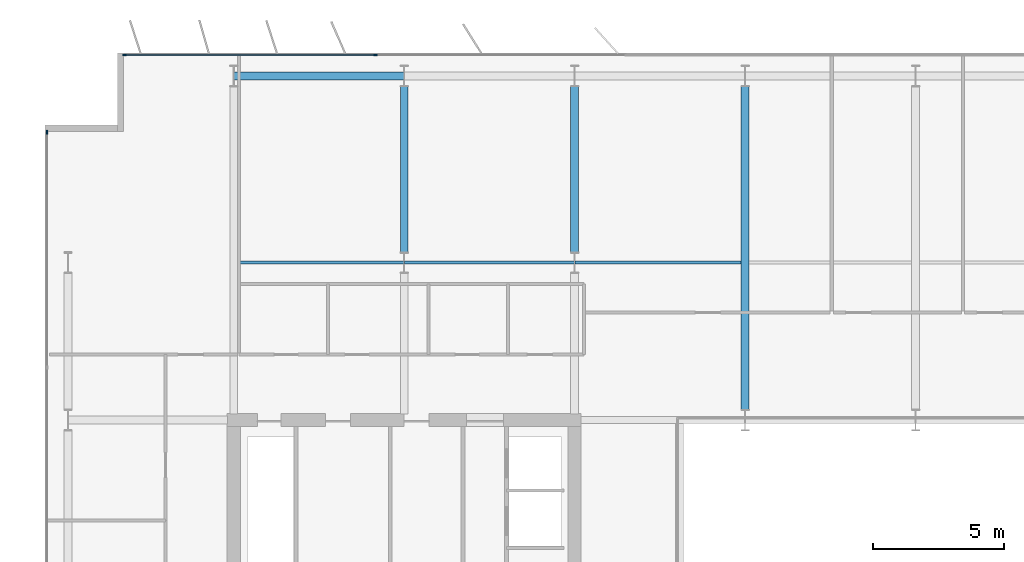
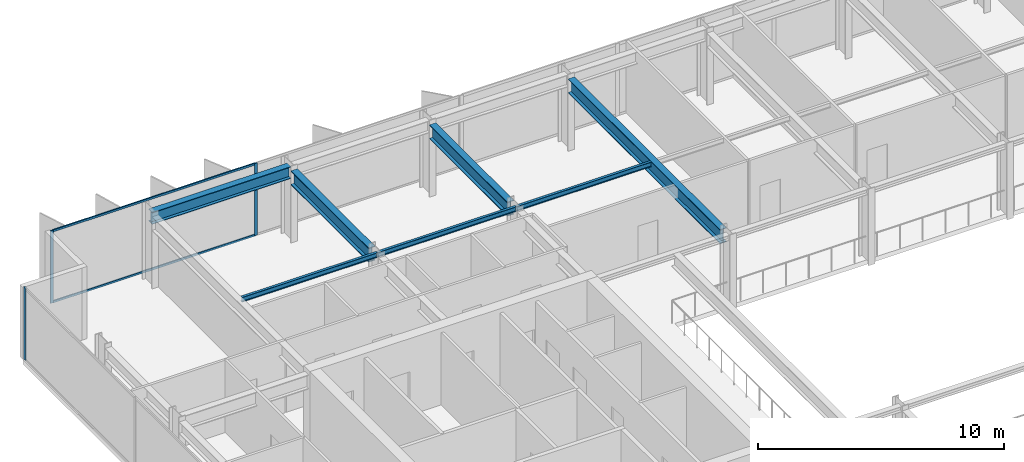
# One storey, part 10 of 23: 7 beams, 5 members, 2 elements without a shape of their own.
"""IFC4 building model written with IfcOpenShell, lengths in metres."""

from ifc_helpers import new_model, si_unit, direction, frame, origin, origin_2d, place, context, subcontext, project, spatial, rectangle, i_section, extrude, material, layer, layer_set, material_profile, profile_set, type_object, element, aggregate, save


model = new_model("IFC4")

# Units and contexts
model_context = context("Model", 3, precision=1e-05, world=origin(), true_north=direction((0.0, 1.0)))
body_context = subcontext(model_context, "Body", "Model", "MODEL_VIEW")
ifc_project = project(units=[si_unit("LENGTHUNIT", "METRE"), si_unit("AREAUNIT", "SQUARE_METRE"), si_unit("VOLUMEUNIT", "CUBIC_METRE"), si_unit("PLANEANGLEUNIT", "RADIAN"), si_unit("MASSUNIT", "GRAM", prefix="KILO")], contexts=[model_context])

# Site, building, storey
site_placement = place(None, origin())
site = spatial("IfcSite", under=ifc_project, at=site_placement, CompositionType="ELEMENT")
building_placement = place(site_placement, origin())
building = spatial("IfcBuilding", under=site, at=building_placement, Name="Putna Gate Headquarters", CompositionType="ELEMENT")
storey_placement = place(building_placement, frame((0.0, 0.0, 229.0)))
storey = spatial("IfcBuildingStorey", under=building, at=storey_placement, Name="L57", CompositionType="ELEMENT", Elevation=229.0)

# Beams
ifc_material_1 = material(Name="Steel S355J2", Category="steel")
ifc_material_profile_1 = material_profile(ifc_material_1, i_section(OverallWidth=0.300048828125, OverallDepth=0.699951171875, WebThickness=0.01708984375, FlangeThickness=0.031982421875, at=origin_2d()), Name="Steel S355J2")
ifc_profile_set_1 = profile_set([ifc_material_profile_1], Name="Steel S355J2")
beam_type_1 = type_object("IfcBeamType", Name="BM-GIRD-B-HEB700", PredefinedType="USERDEFINED", material=ifc_profile_set_1)
for number, where, z_axis, x_axis, name in (
    (1, (19.5, 39.39501953125, 3.22998046875), (0.0, 1.0, 0.0), (-1.0, 0.0, 0.0), "L57 North Primary Girder X19-2"),
    (2, (26.0, 39.39501953125, 3.22998046875), (0.0, 1.0, 0.0), (-1.0, 0.0, 0.0), "L57 North Primary Girder X26-2"),
):
    element("IfcBeam", number, at=place(storey_placement, frame(where, z_axis=z_axis, x_axis=x_axis)), inside=storey, type_object=beam_type_1, Name=name, ObjectType="GIRDER", PredefinedType="USERDEFINED", context=body_context, shape_type="SweptSolid", body=[
        extrude(i_section(OverallWidth=0.300048828125, OverallDepth=0.699951171875, WebThickness=0.01708984375, FlangeThickness=0.031982421875, at=origin_2d()), origin(), (0.0, 0.0, 1.0), 6.330078125),
    ])
beam_1_placement = place(storey_placement, frame((32.5, 33.39501953125, 3.22998046875), z_axis=(0.0, 1.0, 0.0), x_axis=(-1.0, 0.0, 0.0)))
element("IfcBeam", 3, at=beam_1_placement, inside=storey, type_object=beam_type_1, Name="L57 North Primary Girder X32", ObjectType="GIRDER", PredefinedType="USERDEFINED", context=body_context, shape_type="SweptSolid", body=[
    extrude(i_section(OverallWidth=0.300048828125, OverallDepth=0.699951171875, WebThickness=0.01708984375, FlangeThickness=0.031982421875, at=origin_2d()), origin(), (0.0, 0.0, 1.0), 12.330078125),
])
ifc_material_profile_2 = material_profile(ifc_material_1, i_section(OverallWidth=0.1201171875, OverallDepth=0.239990234375, WebThickness=0.006103515625, FlangeThickness=0.009765625, at=origin_2d()), Name="Steel S355J2")
ifc_profile_set_2 = profile_set([ifc_material_profile_2], Name="Steel S355J2")
beam_type_2 = type_object("IfcBeamType", Name="BM-SEC-Z4-IPE240", PredefinedType="JOIST", material=ifc_profile_set_2)
beam_2_placement = place(storey_placement, frame((13.154052734375, 39.0, 3.4599609375), z_axis=(1.0, 0.0, 0.0), x_axis=(0.0, 1.0, 0.0)))
element("IfcBeam", 4, at=beam_2_placement, inside=storey, type_object=beam_type_2, Name="L57 North Secondary Beam 1", PredefinedType="JOIST", context=body_context, shape_type="SweptSolid", body=[
    extrude(i_section(OverallWidth=0.1201171875, OverallDepth=0.239990234375, WebThickness=0.006103515625, FlangeThickness=0.009765625, at=origin_2d()), origin(), (0.0, 0.0, 1.0), 6.33984375),
])
beam_3_placement = place(storey_placement, frame((19.506103515625, 39.0, 3.4599609375), z_axis=(1.0, 0.0, 0.0), x_axis=(0.0, 1.0, 0.0)))
element("IfcBeam", 5, at=beam_3_placement, inside=storey, type_object=beam_type_2, Name="L57 North Secondary Beam 2", PredefinedType="JOIST", context=body_context, shape_type="SweptSolid", body=[
    extrude(i_section(OverallWidth=0.1201171875, OverallDepth=0.239990234375, WebThickness=0.006103515625, FlangeThickness=0.009765625, at=origin_2d()), origin(), (0.0, 0.0, 1.0), 6.48779296875),
])
beam_4_placement = place(storey_placement, frame((26.006103515625, 39.0, 3.4599609375), z_axis=(1.0, 0.0, 0.0), x_axis=(0.0, 1.0, 0.0)))
element("IfcBeam", 6, at=beam_4_placement, inside=storey, type_object=beam_type_2, Name="L57 North Secondary Beam 3", PredefinedType="JOIST", context=body_context, shape_type="SweptSolid", body=[
    extrude(i_section(OverallWidth=0.1201171875, OverallDepth=0.239990234375, WebThickness=0.006103515625, FlangeThickness=0.009765625, at=origin_2d()), origin(), (0.0, 0.0, 1.0), 6.33984375),
])
ifc_material_profile_3 = material_profile(ifc_material_1, i_section(OverallWidth=0.300048828125, OverallDepth=0.590087890625, WebThickness=0.012939453125, FlangeThickness=0.02490234375, at=origin_2d()), Name="Steel S355J2")
ifc_profile_set_3 = profile_set([ifc_material_profile_3], Name="Steel S355J2")
beam_type_3 = type_object("IfcBeamType", Name="BM-SPAN-Z4-HEA600", PredefinedType="SPANDREL", material=ifc_profile_set_3)
beam_5_placement = place(storey_placement, frame((13.006103515625, 46.1201171875, 3.284912109375), z_axis=(1.0, 0.0, 0.0), x_axis=(0.0, 1.0, 0.0)))
element("IfcBeam", 7, at=beam_5_placement, inside=storey, type_object=beam_type_3, Name="L57 N Perimeter Spandrel 1", PredefinedType="SPANDREL", context=body_context, shape_type="SweptSolid", body=[
    extrude(i_section(OverallWidth=0.300048828125, OverallDepth=0.590087890625, WebThickness=0.012939453125, FlangeThickness=0.02490234375, at=origin_2d()), origin(), (0.0, 0.0, 1.0), 6.48779296875),
])

# Curtain wall, members
ifc_material_2 = material(Name="Anodised bronze aluminium curtain wall", Category="aluminium")
ifc_layer = layer(ifc_material_2, 0.139892578125)
ifc_layer_set = layer_set([ifc_layer], Name="Anodised bronze aluminium curtain wall")
curtain_wall_type = type_object("IfcCurtainWallType", Name="CW-SYS-Z4", PredefinedType="USERDEFINED", material=ifc_layer_set)
curtain_wall_1_placement = place(storey_placement, origin())
curtain_wall_1 = element("IfcCurtainWall", 8, at=curtain_wall_1_placement, inside=storey, type_object=curtain_wall_type, Name="L57 North West Curtain Wall", ObjectType="STICK CURTAIN WALL", PredefinedType="USERDEFINED")
ifc_material_3 = material(Name="Anodised bronze aluminium EN AW-6060", Category="aluminium")
ifc_material_profile_4 = material_profile(ifc_material_3, rectangle(XDim=0.06005859375, YDim=0.139892578125, at=origin_2d()), Name="Anodised bronze aluminium EN AW-6060")
ifc_profile_set_4 = profile_set([ifc_material_profile_4], Name="Anodised bronze aluminium EN AW-6060")
member_type_1 = type_object("IfcMemberType", Name="MULL-CWM-4", PredefinedType="MULLION", material=ifc_profile_set_4)
member_1_placement = place(storey_placement, frame((8.830078125, 46.919921875, 0.0), z_axis=(0.0, 0.0, 1.0), x_axis=(0.0, 1.0, 0.0)))
member_1 = element("IfcMember", 9, at=member_1_placement, type_object=member_type_1, Name="CWS-4 mullion 1", PredefinedType="MULLION", context=body_context, shape_type="SweptSolid", body=[
    extrude(rectangle(XDim=0.06005859375, YDim=0.139892578125, at=origin_2d()), origin(), (0.0, 0.0, 1.0), 3.580078125),
])
member_2_placement = place(storey_placement, frame((18.39990234375, 46.919921875, 0.0), z_axis=(0.0, 0.0, 1.0), x_axis=(0.0, 1.0, 0.0)))
member_2 = element("IfcMember", 10, at=member_2_placement, type_object=member_type_1, Name="CWS-4 mullion 2", PredefinedType="MULLION", context=body_context, shape_type="SweptSolid", body=[
    extrude(rectangle(XDim=0.06005859375, YDim=0.139892578125, at=origin_2d()), origin(), (0.0, 0.0, 1.0), 3.580078125),
])

# Curtain wall, member
curtain_wall_2_placement = place(storey_placement, origin())
curtain_wall_2 = element("IfcCurtainWall", 11, at=curtain_wall_2_placement, inside=storey, type_object=curtain_wall_type, Name="L57 West Curtain Wall", ObjectType="STICK CURTAIN WALL", PredefinedType="USERDEFINED")
member_3_placement = place(storey_placement, frame((5.8798828125, 43.969970703125, 0.0), z_axis=(0.0, 0.0, 1.0), x_axis=(-1.0, 0.0, 0.0)))
member_3 = element("IfcMember", 12, at=member_3_placement, type_object=member_type_1, Name="CWS-4 mullion 5", PredefinedType="MULLION", context=body_context, shape_type="SweptSolid", body=[
    extrude(rectangle(XDim=0.06005859375, YDim=0.139892578125, at=origin_2d()), origin(), (0.0, 0.0, 1.0), 3.580078125),
])
aggregate(curtain_wall_2, [member_3])

# Member
ifc_material_profile_5 = material_profile(ifc_material_3, rectangle(XDim=0.06005859375, YDim=0.10009765625, at=origin_2d()), Name="Anodised bronze aluminium EN AW-6060")
ifc_profile_set_5 = profile_set([ifc_material_profile_5], Name="Anodised bronze aluminium EN AW-6060")
member_type_2 = type_object("IfcMemberType", Name="TRAN-CWT-4", PredefinedType="USERDEFINED", material=ifc_profile_set_5)
member_4_placement = place(storey_placement, frame((8.860107421875, 46.919921875, 0.030029296875), z_axis=(1.0, 0.0, 0.0), x_axis=(0.0, 1.0, 0.0)))
member_4 = element("IfcMember", 13, at=member_4_placement, type_object=member_type_2, Name="CWS-4 transom 1.1", ObjectType="TRANSOM", PredefinedType="USERDEFINED", context=body_context, shape_type="SweptSolid", body=[
    extrude(rectangle(XDim=0.06005859375, YDim=0.10009765625, at=origin_2d()), origin(), (0.0, 0.0, 1.0), 9.510009765625),
])

member_5_placement = place(storey_placement, frame((8.860107421875, 46.919921875, 3.550048828125), z_axis=(1.0, 0.0, 0.0), x_axis=(0.0, 1.0, 0.0)))
member_5 = element("IfcMember", 14, at=member_5_placement, type_object=member_type_2, Name="CWS-4 transom 1.2", ObjectType="TRANSOM", PredefinedType="USERDEFINED", context=body_context, shape_type="SweptSolid", body=[
    extrude(rectangle(XDim=0.06005859375, YDim=0.10009765625, at=origin_2d()), origin(), (0.0, 0.0, 1.0), 9.510009765625),
])

aggregate(curtain_wall_1, [member_1, member_2, member_4, member_5])

save(model, "model.ifc")
